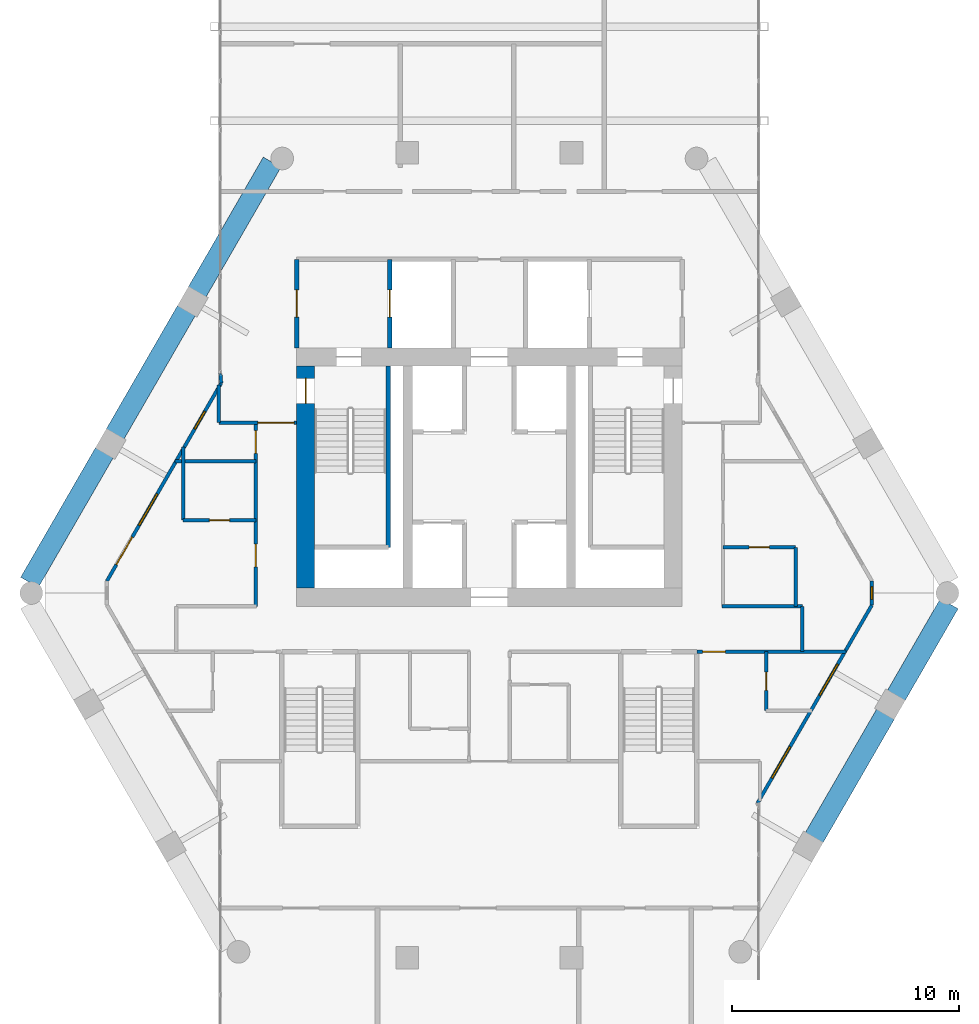
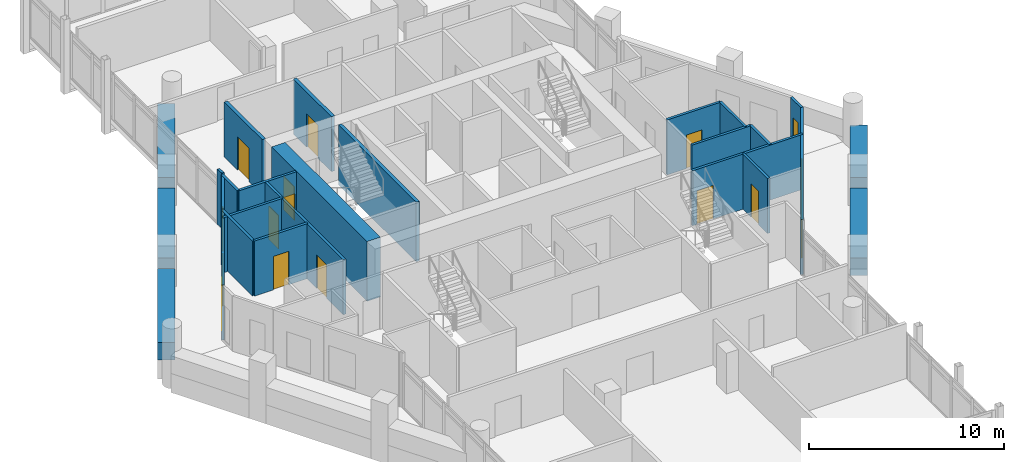
# One storey, part 26 of 29: 25 walls, 11 doors, 5 windows, 16 openings.
"""IFC4 building model written with IfcOpenShell, lengths in metres."""

from ifc_helpers import new_model, si_unit, direction, frame, frame_2d, origin, place, context, subcontext, project, spatial, rectangle, extrude, material, layer, layer_set, type_object, element, fill, save


model = new_model("IFC4")

# Units and contexts
model_context = context("Model", 3, precision=1e-05, world=origin(), true_north=direction((0.0, 1.0)))
body_context = subcontext(model_context, "Body", "Model", "MODEL_VIEW")
ifc_project = project(units=[si_unit("LENGTHUNIT", "METRE"), si_unit("AREAUNIT", "SQUARE_METRE"), si_unit("VOLUMEUNIT", "CUBIC_METRE"), si_unit("PLANEANGLEUNIT", "RADIAN"), si_unit("MASSUNIT", "GRAM", prefix="KILO")], contexts=[model_context])

# Site, building, storey
site_placement = place(None, origin())
site = spatial("IfcSite", under=ifc_project, at=site_placement, CompositionType="ELEMENT")
building_placement = place(site_placement, origin())
building = spatial("IfcBuilding", under=site, at=building_placement, Name="Ostrander Bayou Hotel Tower", CompositionType="ELEMENT")
storey_placement = place(building_placement, frame((0.0, 0.0, 205.75)))
storey = spatial("IfcBuildingStorey", under=building, at=storey_placement, Name="L51", CompositionType="ELEMENT", Elevation=205.75)

# Wall, opening, door
ifc_material_1 = material(Name="Concrete f'c 60 MPa", Category="concrete")
ifc_layer_1 = layer(ifc_material_1, 0.800048828125)
ifc_layer_set_1 = layer_set([ifc_layer_1], Name="CW8 core spine wall 800 mm f'c 60 MPa")
wall_type_1 = type_object("IfcWallType", Name="CW8 core spine wall 800 mm f'c 60 MPa", PredefinedType="SHEAR", material=ifc_layer_set_1)
wall_1_placement = place(storey_placement, frame((-8.10009765625, -0.89990234375, -0.300048828125), z_axis=(0.0, 0.0, 1.0), x_axis=(0.0, 1.0, 0.0)))
wall_1 = element("IfcWall", 1, at=wall_1_placement, inside=storey, type_object=wall_type_1, Name="CW8 L51 W", PredefinedType="SHEAR", context=body_context, shape_type="SweptSolid", body=[
    extrude(rectangle(XDim=9.7998046875, YDim=0.800048828125, at=frame_2d((4.89990234375, 0.0))), origin(), (0.0, 0.0, 1.0), 3.75),
])
opening_1_placement = place(wall_1_placement, frame((8.14990234375, 0.0, 0.0)))
opening_1 = element("IfcOpeningElement", 2, at=opening_1_placement, cuts=wall_1, Name="Opening T50-008", PredefinedType="OPENING", context=body_context, shape_type="SweptSolid", body=[
    extrude(rectangle(XDim=1.10009765625, YDim=2.10009765625, at=frame_2d((0.550048828125, 1.050048828125))), frame((0.0, 0.39990234375, 0.0), z_axis=(0.0, -1.0, 0.0), x_axis=(1.0, 0.0, 0.0)), (0.0, 0.0, 1.0), 0.800048828125),
])
ifc_material_2 = material(Name="Timber door leaf", Category="wood")
door_type_1 = type_object("IfcDoorType", Name="D5 stair door 1100 x 2100 mm, 90 minute", OperationType="SINGLE_SWING_LEFT", PredefinedType="DOOR", material=ifc_material_2)
door_1_placement = place(opening_1_placement, origin())
door_1 = element("IfcDoor", 3, at=door_1_placement, inside=storey, type_object=door_type_1, Name="dr:L51:008", OperationType="SINGLE_SWING_RIGHT", OverallHeight=2.10009765625, OverallWidth=1.10009765625, PredefinedType="DOOR", context=body_context, shape_type="SweptSolid", body=[
    extrude(rectangle(XDim=1.10009765625, YDim=2.10009765625, at=frame_2d((0.550048828125, 1.050048828125))), frame((0.0, 0.02490234375, 0.0), z_axis=(0.0, -1.0, 0.0), x_axis=(1.0, 0.0, 0.0)), (0.0, 0.0, 1.0), 0.050048828125),
])
fill(opening_1, door_1)

# Wall, openings, door, windows
ifc_material_3 = material(Name="Aluminium framed insulated wall", Category="aluminium")
ifc_layer_2 = layer(ifc_material_3, 0.14990234375)
ifc_layer_set_2 = layer_set([ifc_layer_2], Name="GW1 glass-line wall 150 mm")
wall_type_2 = type_object("IfcWallType", Name="GW1 glass-line wall 150 mm", PredefinedType="SOLIDWALL", material=ifc_layer_set_2)
wall_2_placement = place(storey_placement, frame((-11.823974609375, 8.144775390625, 0.0), z_axis=(0.0, 0.0, 1.0), x_axis=(-0.499993749393, -0.866029012544, 0.0)))
wall_2 = element("IfcWall", 4, at=wall_2_placement, inside=storey, type_object=wall_type_2, Name="GW1 L51 NW 1", PredefinedType="SOLIDWALL", context=body_context, shape_type="SweptSolid", body=[
    extrude(rectangle(XDim=10.074951171875, YDim=0.14990234375, at=frame_2d((5.03759765625, 0.0))), origin(), (0.0, 0.0, 1.0), 3.449951171875),
])
opening_2_placement = place(wall_2_placement, frame((1.44140625, 0.0, 0.14990234375)))
opening_2 = element("IfcOpeningElement", 5, at=opening_2_placement, cuts=wall_2, Name="Opening W17", PredefinedType="OPENING", context=body_context, shape_type="SweptSolid", body=[
    extrude(rectangle(XDim=0.89990234375, YDim=2.199951171875, at=frame_2d((0.449951171875, 1.10009765625))), frame((0.0, 0.074951171875, 0.0), z_axis=(0.0, -1.0, 0.0), x_axis=(1.0, 0.0, 0.0)), (0.0, 0.0, 1.0), 0.14990234375),
])
opening_3_placement = place(wall_2_placement, frame((5.6416015625, 0.0, 0.14990234375)))
opening_3 = element("IfcOpeningElement", 6, at=opening_3_placement, cuts=wall_2, Name="Opening W9", PredefinedType="OPENING", context=body_context, shape_type="SweptSolid", body=[
    extrude(rectangle(XDim=1.60009765625, YDim=2.199951171875, at=frame_2d((0.800048828125, 1.10009765625))), frame((0.0, 0.074951171875, 0.0), z_axis=(0.0, -1.0, 0.0), x_axis=(1.0, 0.0, 0.0)), (0.0, 0.0, 1.0), 0.14990234375),
])
opening_4_placement = place(wall_2_placement, frame((7.841552734375, 0.0, 0.0)))
opening_4 = element("IfcOpeningElement", 7, at=opening_4_placement, cuts=wall_2, Name="Opening T50-800", PredefinedType="OPENING", context=body_context, shape_type="SweptSolid", body=[
    extrude(rectangle(XDim=1.39990234375, YDim=2.39990234375, at=frame_2d((0.699951171875, 1.199951171875))), frame((0.0, 0.074951171875, 0.0), z_axis=(0.0, -1.0, 0.0), x_axis=(1.0, 0.0, 0.0)), (0.0, 0.0, 1.0), 0.14990234375),
])
ifc_material_4 = material(Name="Aluminium and clear glass", Category="aluminium")
door_type_2 = type_object("IfcDoorType", Name="SD3 sliding glass door 1400 mm, zone 3", OperationType="SLIDING_TO_LEFT", PredefinedType="DOOR", material=ifc_material_4)
door_2_placement = place(opening_4_placement, origin())
door_2 = element("IfcDoor", 8, at=door_2_placement, inside=storey, type_object=door_type_2, Name="SD3 L51 NW 4", OperationType="SLIDING_TO_RIGHT", OverallHeight=2.39990234375, OverallWidth=1.39990234375, PredefinedType="DOOR", context=body_context, shape_type="SweptSolid", body=[
    extrude(rectangle(XDim=1.39990234375, YDim=2.39990234375, at=frame_2d((0.699951171875, 1.199951171875))), frame((0.0, 0.02490234375, 0.0), z_axis=(0.0, -1.0, 0.0), x_axis=(1.0, 0.0, 0.0)), (0.0, 0.0, 1.0), 0.050048828125),
])
fill(opening_4, door_2)
ifc_material_5 = material(Name="Aluminium and clear glass", Category="aluminium")
window_type_1 = type_object("IfcWindowType", Name="W17 window 900 mm, zone 3", PartitioningType="SINGLE_PANEL", PredefinedType="WINDOW", material=ifc_material_5)
window_1_placement = place(opening_2_placement, origin())
window_1 = element("IfcWindow", 9, at=window_1_placement, inside=storey, type_object=window_type_1, Name="W17 L51 NW 3", OverallHeight=2.199951171875, OverallWidth=0.89990234375, PartitioningType="SINGLE_PANEL", PredefinedType="WINDOW", context=body_context, shape_type="SweptSolid", body=[
    extrude(rectangle(XDim=0.89990234375, YDim=2.199951171875, at=frame_2d((0.449951171875, 1.10009765625))), frame((0.0, 0.030029296875, 0.0), z_axis=(0.0, -1.0, 0.0), x_axis=(1.0, 0.0, 0.0)), (0.0, 0.0, 1.0), 0.06005859375),
])
fill(opening_2, window_1)
ifc_material_6 = material(Name="Aluminium and clear glass", Category="aluminium")
window_type_2 = type_object("IfcWindowType", Name="W9 fixed window 1600 mm, bar storeys, zone 3", PartitioningType="SINGLE_PANEL", PredefinedType="WINDOW", material=ifc_material_6)
window_2_placement = place(opening_3_placement, origin())
window_2 = element("IfcWindow", 10, at=window_2_placement, inside=storey, type_object=window_type_2, Name="W9 L51 NW 4", OverallHeight=2.199951171875, OverallWidth=1.60009765625, PartitioningType="SINGLE_PANEL", PredefinedType="WINDOW", context=body_context, shape_type="SweptSolid", body=[
    extrude(rectangle(XDim=1.60009765625, YDim=2.199951171875, at=frame_2d((0.800048828125, 1.10009765625))), frame((0.0, 0.030029296875, 0.0), z_axis=(0.0, -1.0, 0.0), x_axis=(1.0, 0.0, 0.0)), (0.0, 0.0, 1.0), 0.06005859375),
])
fill(opening_3, window_2)

# Wall, openings, windows
wall_3_placement = place(storey_placement, frame((11.823974609375, -10.370361328125, 0.0), z_axis=(0.0, 0.0, 1.0), x_axis=(0.499993749393, 0.866029012544, 0.0)))
wall_3 = element("IfcWall", 11, at=wall_3_placement, inside=storey, type_object=wall_type_2, Name="GW1 L51 SE 1", PredefinedType="SOLIDWALL", context=body_context, shape_type="SweptSolid", body=[
    extrude(rectangle(XDim=10.074951171875, YDim=0.14990234375, at=frame_2d((5.03759765625, 0.0))), origin(), (0.0, 0.0, 1.0), 3.449951171875),
])
opening_5_placement = place(wall_3_placement, frame((1.26904296875, 0.0, 0.14990234375)))
opening_5 = element("IfcOpeningElement", 12, at=opening_5_placement, cuts=wall_3, Name="Opening W9", PredefinedType="OPENING", context=body_context, shape_type="SweptSolid", body=[
    extrude(rectangle(XDim=1.60009765625, YDim=2.199951171875, at=frame_2d((0.800048828125, 1.10009765625))), frame((0.0, 0.074951171875, 0.0), z_axis=(0.0, -1.0, 0.0), x_axis=(1.0, 0.0, 0.0)), (0.0, 0.0, 1.0), 0.14990234375),
])
opening_6_placement = place(wall_3_placement, frame((5.468994140625, 0.0, 0.14990234375)))
opening_6 = element("IfcOpeningElement", 13, at=opening_6_placement, cuts=wall_3, Name="Opening W9", PredefinedType="OPENING", context=body_context, shape_type="SweptSolid", body=[
    extrude(rectangle(XDim=1.60009765625, YDim=2.199951171875, at=frame_2d((0.800048828125, 1.10009765625))), frame((0.0, 0.074951171875, 0.0), z_axis=(0.0, -1.0, 0.0), x_axis=(1.0, 0.0, 0.0)), (0.0, 0.0, 1.0), 0.14990234375),
])
window_3_placement = place(opening_5_placement, origin())
window_3 = element("IfcWindow", 14, at=window_3_placement, inside=storey, type_object=window_type_2, Name="W9 L51 SE 2", OverallHeight=2.199951171875, OverallWidth=1.60009765625, PartitioningType="SINGLE_PANEL", PredefinedType="WINDOW", context=body_context, shape_type="SweptSolid", body=[
    extrude(rectangle(XDim=1.60009765625, YDim=2.199951171875, at=frame_2d((0.800048828125, 1.10009765625))), frame((0.0, 0.030029296875, 0.0), z_axis=(0.0, -1.0, 0.0), x_axis=(1.0, 0.0, 0.0)), (0.0, 0.0, 1.0), 0.06005859375),
])
fill(opening_5, window_3)
window_4_placement = place(opening_6_placement, origin())
window_4 = element("IfcWindow", 15, at=window_4_placement, inside=storey, type_object=window_type_2, Name="W9 L51 SE 3", OverallHeight=2.199951171875, OverallWidth=1.60009765625, PartitioningType="SINGLE_PANEL", PredefinedType="WINDOW", context=body_context, shape_type="SweptSolid", body=[
    extrude(rectangle(XDim=1.60009765625, YDim=2.199951171875, at=frame_2d((0.800048828125, 1.10009765625))), frame((0.0, 0.030029296875, 0.0), z_axis=(0.0, -1.0, 0.0), x_axis=(1.0, 0.0, 0.0)), (0.0, 0.0, 1.0), 0.06005859375),
])
fill(opening_6, window_4)

# Wall, opening, window
wall_4_placement = place(storey_placement, frame((16.861328125, -1.645263671875, 0.0), z_axis=(0.0, 0.0, 1.0), x_axis=(0.0, 1.0, 0.0)))
wall_4 = element("IfcWall", 16, at=wall_4_placement, inside=storey, type_object=wall_type_2, Name="GW1 L51 corner 5", PredefinedType="SOLIDWALL", context=body_context, shape_type="SweptSolid", body=[
    extrude(rectangle(XDim=1.06494140625, YDim=0.14990234375, at=frame_2d((0.532470703125, 0.0))), origin(), (0.0, 0.0, 1.0), 3.449951171875),
])
opening_7_placement = place(wall_4_placement, frame((0.257568359375, 0.0, 0.14990234375)))
opening_7 = element("IfcOpeningElement", 17, at=opening_7_placement, cuts=wall_4, Name="Opening W19", PredefinedType="OPENING", context=body_context, shape_type="SweptSolid", body=[
    extrude(rectangle(XDim=0.550048828125, YDim=2.199951171875, at=frame_2d((0.27490234375, 1.10009765625))), frame((0.0, 0.074951171875, 0.0), z_axis=(0.0, -1.0, 0.0), x_axis=(1.0, 0.0, 0.0)), (0.0, 0.0, 1.0), 0.14990234375),
])
ifc_material_7 = material(Name="Aluminium and clear glass", Category="aluminium")
window_type_3 = type_object("IfcWindowType", Name="W19 corner window 550 mm", PartitioningType="SINGLE_PANEL", PredefinedType="WINDOW", material=ifc_material_7)
window_5_placement = place(opening_7_placement, origin())
window_5 = element("IfcWindow", 18, at=window_5_placement, inside=storey, type_object=window_type_3, Name="W19 L51 corner 5", OverallHeight=2.199951171875, OverallWidth=0.550048828125, PartitioningType="SINGLE_PANEL", PredefinedType="WINDOW", context=body_context, shape_type="SweptSolid", body=[
    extrude(rectangle(XDim=0.550048828125, YDim=2.199951171875, at=frame_2d((0.27490234375, 1.10009765625))), frame((0.0, 0.030029296875, 0.0), z_axis=(0.0, -1.0, 0.0), x_axis=(1.0, 0.0, 0.0)), (0.0, 0.0, 1.0), 0.06005859375),
])
fill(opening_7, window_5)

# Walls
wall_5_placement = place(storey_placement, frame((-11.823974609375, 8.144775390625, 0.0), z_axis=(0.0, 0.0, 1.0), x_axis=(-0.078869316502, 0.996884963732, 0.0)))
element("IfcWall", 19, at=wall_5_placement, inside=storey, type_object=wall_type_2, Name="GW1 L51 bar joint 1", PredefinedType="SOLIDWALL", context=body_context, shape_type="SweptSolid", body=[
    extrude(rectangle(XDim=0.4208984375, YDim=0.14990234375, at=frame_2d((0.21044921875, 0.0))), origin(), (0.0, 0.0, 1.0), 3.449951171875),
])
ifc_material_8 = material(Name="Concrete f'c 40 MPa", Category="concrete")
ifc_layer_3 = layer(ifc_material_8, 0.89990234375)
ifc_layer_set_3 = layer_set([ifc_layer_3], Name="PA1 stone-faced parapet 900 mm")
wall_type_3 = type_object("IfcWallType", Name="PA1 stone-faced parapet 900 mm", PredefinedType="PARAPET", material=ifc_layer_set_3)
wall_6_placement = place(storey_placement, frame((-9.58056640625, 17.88037109375, 0.0), z_axis=(0.0, 0.0, 1.0), x_axis=(-0.499994358189, -0.866028661061, 0.0)))
element("IfcWall", 20, at=wall_6_placement, inside=storey, type_object=wall_type_3, Name="PA1 L51 NW-1", PredefinedType="PARAPET", context=body_context, shape_type="SweptSolid", body=[
    extrude(rectangle(XDim=6.6064453125, YDim=0.89990234375, at=frame_2d((3.30322265625, 0.0))), origin(), (0.0, 0.0, 1.0), 1.10009765625),
])
wall_7_placement = place(storey_placement, frame((-13.353759765625, 11.344970703125, 0.0), z_axis=(0.0, 0.0, 1.0), x_axis=(-0.500013351051, -0.866017695414, 0.0)))
element("IfcWall", 21, at=wall_7_placement, inside=storey, type_object=wall_type_3, Name="PA1 L51 NW-2", PredefinedType="PARAPET", context=body_context, shape_type="SweptSolid", body=[
    extrude(rectangle(XDim=6.296142578125, YDim=0.89990234375, at=frame_2d((3.14794921875, 0.0))), origin(), (0.0, 0.0, 1.0), 1.10009765625),
])
wall_8_placement = place(storey_placement, frame((-16.971923828125, 5.078125, 0.0), z_axis=(0.0, 0.0, 1.0), x_axis=(-0.500010360262, -0.866019422202, 0.0)))
element("IfcWall", 22, at=wall_8_placement, inside=storey, type_object=wall_type_3, Name="PA1 L51 NW-3", PredefinedType="PARAPET", context=body_context, shape_type="SweptSolid", body=[
    extrude(rectangle(XDim=6.606201171875, YDim=0.89990234375, at=frame_2d((3.30322265625, 0.0))), origin(), (0.0, 0.0, 1.0), 1.10009765625),
])
ifc_material_9 = material(Name="Limestone masonry", Category="masonry")
ifc_layer_4 = layer(ifc_material_9, 0.89990234375)
ifc_layer_set_4 = layer_set([ifc_layer_4], Name="PA2 limestone parapet 900 mm")
wall_type_4 = type_object("IfcWallType", Name="PA2 limestone parapet 900 mm", PredefinedType="PARAPET", material=ifc_layer_set_4)
wall_9_placement = place(storey_placement, frame((14.3173828125, -11.9013671875, 0.0), z_axis=(0.0, 0.0, 1.0), x_axis=(0.500013351051, 0.866017695414, 0.0)))
element("IfcWall", 23, at=wall_9_placement, inside=storey, type_object=wall_type_4, Name="PA2 L51 SE-2", PredefinedType="PARAPET", context=body_context, shape_type="SweptSolid", body=[
    extrude(rectangle(XDim=6.296142578125, YDim=0.89990234375, at=frame_2d((3.14794921875, 0.0))), origin(), (0.0, 0.0, 1.0), 1.10009765625),
])
wall_10_placement = place(storey_placement, frame((17.935546875, -5.634521484375, 0.0), z_axis=(0.0, 0.0, 1.0), x_axis=(0.500028081597, 0.86600919026, 0.0)))
element("IfcWall", 24, at=wall_10_placement, inside=storey, type_object=wall_type_4, Name="PA2 L51 SE-3", PredefinedType="PARAPET", context=body_context, shape_type="SweptSolid", body=[
    extrude(rectangle(XDim=4.678955078125, YDim=0.89990234375, at=frame_2d((2.33935546875, 0.0))), origin(), (0.0, 0.0, 1.0), 1.10009765625),
])

# Wall, opening, door
ifc_material_10 = material(Name="Masonry block", Category="masonry")
ifc_layer_5 = layer(ifc_material_10, 0.199951171875)
ifc_layer_set_5 = layer_set([ifc_layer_5], Name="PT5 stair enclosure wall 200 mm masonry, 2 hour")
wall_type_5 = type_object("IfcWallType", Name="PT5 stair enclosure wall 200 mm masonry, 2 hour", PredefinedType="PARTITIONING", material=ifc_layer_set_5)
wall_11_placement = place(storey_placement, frame((-8.5, 9.699951171875, 0.0), z_axis=(0.0, 0.0, 1.0), x_axis=(0.0, 1.0, 0.0)))
wall_11 = element("IfcWall", 25, at=wall_11_placement, inside=storey, type_object=wall_type_5, Name="cs:L51:022", PredefinedType="PARTITIONING", context=body_context, shape_type="SweptSolid", body=[
    extrude(rectangle(XDim=3.900146484375, YDim=0.199951171875, at=frame_2d((1.9501953125, 0.0))), origin(), (0.0, 0.0, 1.0), 3.449951171875),
])
opening_8_placement = place(wall_11_placement, frame((1.35009765625, 0.0, 0.0)))
opening_8 = element("IfcOpeningElement", 26, at=opening_8_placement, cuts=wall_11, Name="Opening T50-014", PredefinedType="OPENING", context=body_context, shape_type="SweptSolid", body=[
    extrude(rectangle(XDim=1.199951171875, YDim=2.10009765625, at=frame_2d((0.60009765625, 1.050048828125))), frame((0.0, 0.10009765625, 0.0), z_axis=(0.0, -1.0, 0.0), x_axis=(1.0, 0.0, 0.0)), (0.0, 0.0, 1.0), 0.199951171875),
])
ifc_material_11 = material(Name="Timber door leaf", Category="wood")
door_type_3 = type_object("IfcDoorType", Name="D7 lobby door 1200 x 2100 mm, 1 hour", OperationType="SINGLE_SWING_LEFT", PredefinedType="DOOR", material=ifc_material_11)
door_3_placement = place(opening_8_placement, origin())
door_3 = element("IfcDoor", 27, at=door_3_placement, inside=storey, type_object=door_type_3, Name="dr:L51:014", OperationType="SINGLE_SWING_LEFT", OverallHeight=2.10009765625, OverallWidth=1.199951171875, PredefinedType="DOOR", context=body_context, shape_type="SweptSolid", body=[
    extrude(rectangle(XDim=1.199951171875, YDim=2.10009765625, at=frame_2d((0.60009765625, 1.050048828125))), frame((0.0, 0.02490234375, 0.0), z_axis=(0.0, -1.0, 0.0), x_axis=(1.0, 0.0, 0.0)), (0.0, 0.0, 1.0), 0.050048828125),
])
fill(opening_8, door_3)

wall_12_placement = place(storey_placement, frame((-4.39990234375, 9.699951171875, 0.0), z_axis=(0.0, 0.0, 1.0), x_axis=(0.0, 1.0, 0.0)))
wall_12 = element("IfcWall", 28, at=wall_12_placement, inside=storey, type_object=wall_type_5, Name="cs:L51:024", PredefinedType="PARTITIONING", context=body_context, shape_type="SweptSolid", body=[
    extrude(rectangle(XDim=3.900146484375, YDim=0.199951171875, at=frame_2d((1.9501953125, 0.0))), origin(), (0.0, 0.0, 1.0), 3.449951171875),
])
opening_9_placement = place(wall_12_placement, frame((1.35009765625, 0.0, 0.0)))
opening_9 = element("IfcOpeningElement", 29, at=opening_9_placement, cuts=wall_12, Name="Opening T50-013", PredefinedType="OPENING", context=body_context, shape_type="SweptSolid", body=[
    extrude(rectangle(XDim=1.199951171875, YDim=2.10009765625, at=frame_2d((0.60009765625, 1.050048828125))), frame((0.0, 0.10009765625, 0.0), z_axis=(0.0, -1.0, 0.0), x_axis=(1.0, 0.0, 0.0)), (0.0, 0.0, 1.0), 0.199951171875),
])
ifc_material_12 = material(Name="Stainless steel sliding door", Category="steel")
door_type_4 = type_object("IfcDoorType", Name="LD1 lift landing door 1200 x 2100 mm", OperationType="SINGLE_SWING_LEFT", PredefinedType="DOOR", material=ifc_material_12)
door_4_placement = place(opening_9_placement, origin())
door_4 = element("IfcDoor", 30, at=door_4_placement, inside=storey, type_object=door_type_4, Name="dr:L51:013", OperationType="SLIDING_TO_LEFT", OverallHeight=2.10009765625, OverallWidth=1.199951171875, PredefinedType="DOOR", context=body_context, shape_type="SweptSolid", body=[
    extrude(rectangle(XDim=1.199951171875, YDim=2.10009765625, at=frame_2d((0.60009765625, 1.050048828125))), frame((0.0, 0.02490234375, 0.0), z_axis=(0.0, -1.0, 0.0), x_axis=(1.0, 0.0, 0.0)), (0.0, 0.0, 1.0), 0.050048828125),
])
fill(opening_9, door_4)

ifc_material_13 = material(Name="Gypsum board partition", Category="finish")
ifc_layer_6 = layer(ifc_material_13, 0.14990234375)
ifc_layer_set_6 = layer_set([ifc_layer_6], Name="PT8 service band wall 150 mm, 1 hour")
wall_type_6 = type_object("IfcWallType", Name="PT8 service band wall 150 mm, 1 hour", PredefinedType="PARTITIONING", material=ifc_layer_set_6)
wall_13_placement = place(storey_placement, frame((9.159912109375, -3.699951171875, 0.0), z_axis=(0.0, 0.0, 1.0), x_axis=(1.0, 0.0, 0.0)))
wall_13 = element("IfcWall", 31, at=wall_13_placement, inside=storey, type_object=wall_type_6, Name="gw:L51:011", PredefinedType="PARTITIONING", context=body_context, shape_type="SweptSolid", body=[
    extrude(rectangle(XDim=6.567138671875, YDim=0.14990234375, at=frame_2d((3.28369140625, 0.0))), origin(), (0.0, 0.0, 1.0), 3.449951171875),
])
opening_10_placement = place(wall_13_placement, frame((0.239990234375, 0.0, 0.0)))
opening_10 = element("IfcOpeningElement", 32, at=opening_10_placement, cuts=wall_13, Name="Opening T50-406", PredefinedType="OPENING", context=body_context, shape_type="SweptSolid", body=[
    extrude(rectangle(XDim=1.0, YDim=2.10009765625, at=frame_2d((0.5, 1.050048828125))), frame((0.0, 0.074951171875, 0.0), z_axis=(0.0, -1.0, 0.0), x_axis=(1.0, 0.0, 0.0)), (0.0, 0.0, 1.0), 0.14990234375),
])
ifc_material_14 = material(Name="Timber door leaf", Category="wood")
door_type_5 = type_object("IfcDoorType", Name="D1 guest room door 1000 x 2100 mm, 30 minute", OperationType="SINGLE_SWING_LEFT", PredefinedType="DOOR", material=ifc_material_14)
door_5_placement = place(opening_10_placement, origin())
door_5 = element("IfcDoor", 33, at=door_5_placement, inside=storey, type_object=door_type_5, Name="dr:L51:406", OperationType="SINGLE_SWING_LEFT", OverallHeight=2.10009765625, OverallWidth=1.0, PredefinedType="DOOR", context=body_context, shape_type="SweptSolid", body=[
    extrude(rectangle(XDim=1.0, YDim=2.10009765625, at=frame_2d((0.5, 1.050048828125))), frame((0.0, 0.02490234375, 0.0), z_axis=(0.0, -1.0, 0.0), x_axis=(1.0, 0.0, 0.0)), (0.0, 0.0, 1.0), 0.050048828125),
])
fill(opening_10, door_5)

# Wall
wall_14_placement = place(storey_placement, frame((10.260009765625, -1.699951171875, 0.0), z_axis=(0.0, 0.0, 1.0), x_axis=(1.0, 0.0, 0.0)))
element("IfcWall", 34, at=wall_14_placement, inside=storey, type_object=wall_type_6, Name="gw:L51:013", PredefinedType="PARTITIONING", context=body_context, shape_type="SweptSolid", body=[
    extrude(rectangle(XDim=3.5400390625, YDim=0.14990234375, at=frame_2d((1.77001953125, 0.0))), origin(), (0.0, 0.0, 1.0), 3.449951171875),
])

# Wall, opening, door
wall_15_placement = place(storey_placement, frame((10.300048828125, 0.89990234375, 0.0), z_axis=(0.0, 0.0, 1.0), x_axis=(1.0, 0.0, 0.0)))
wall_15 = element("IfcWall", 35, at=wall_15_placement, inside=storey, type_object=wall_type_6, Name="gw:L51:014", PredefinedType="PARTITIONING", context=body_context, shape_type="SweptSolid", body=[
    extrude(rectangle(XDim=3.199951171875, YDim=0.14990234375, at=frame_2d((1.60009765625, 0.0))), origin(), (0.0, 0.0, 1.0), 3.449951171875),
])
opening_11_placement = place(wall_15_placement, frame((1.14990234375, 0.0, 0.0)))
opening_11 = element("IfcOpeningElement", 36, at=opening_11_placement, cuts=wall_15, Name="Opening T50-412", PredefinedType="OPENING", context=body_context, shape_type="SweptSolid", body=[
    extrude(rectangle(XDim=0.89990234375, YDim=2.10009765625, at=frame_2d((0.449951171875, 1.050048828125))), frame((0.0, 0.074951171875, 0.0), z_axis=(0.0, -1.0, 0.0), x_axis=(1.0, 0.0, 0.0)), (0.0, 0.0, 1.0), 0.14990234375),
])
ifc_material_15 = material(Name="Timber door leaf", Category="wood")
door_type_6 = type_object("IfcDoorType", Name="D8 room door 900 x 2100 mm", OperationType="SINGLE_SWING_LEFT", PredefinedType="DOOR", material=ifc_material_15)
door_6_placement = place(opening_11_placement, origin())
door_6 = element("IfcDoor", 37, at=door_6_placement, inside=storey, type_object=door_type_6, Name="dr:L51:412", OperationType="SINGLE_SWING_LEFT", OverallHeight=2.10009765625, OverallWidth=0.89990234375, PredefinedType="DOOR", context=body_context, shape_type="SweptSolid", body=[
    extrude(rectangle(XDim=0.89990234375, YDim=2.10009765625, at=frame_2d((0.449951171875, 1.050048828125))), frame((0.0, 0.02490234375, 0.0), z_axis=(0.0, -1.0, 0.0), x_axis=(1.0, 0.0, 0.0)), (0.0, 0.0, 1.0), 0.050048828125),
])
fill(opening_11, door_6)

wall_16_placement = place(storey_placement, frame((-13.5, 2.10009765625, 0.0), z_axis=(0.0, 0.0, 1.0), x_axis=(1.0, 0.0, 0.0)))
wall_16 = element("IfcWall", 38, at=wall_16_placement, inside=storey, type_object=wall_type_6, Name="gw:L51:015", PredefinedType="PARTITIONING", context=body_context, shape_type="SweptSolid", body=[
    extrude(rectangle(XDim=3.199951171875, YDim=0.14990234375, at=frame_2d((1.60009765625, 0.0))), origin(), (0.0, 0.0, 1.0), 3.449951171875),
])
opening_12_placement = place(wall_16_placement, frame((1.14990234375, 0.0, 0.0)))
opening_12 = element("IfcOpeningElement", 39, at=opening_12_placement, cuts=wall_16, Name="Opening T50-409", PredefinedType="OPENING", context=body_context, shape_type="SweptSolid", body=[
    extrude(rectangle(XDim=0.89990234375, YDim=2.10009765625, at=frame_2d((0.449951171875, 1.050048828125))), frame((0.0, 0.074951171875, 0.0), z_axis=(0.0, -1.0, 0.0), x_axis=(1.0, 0.0, 0.0)), (0.0, 0.0, 1.0), 0.14990234375),
])
door_7_placement = place(opening_12_placement, origin())
door_7 = element("IfcDoor", 40, at=door_7_placement, inside=storey, type_object=door_type_6, Name="dr:L51:409", OperationType="SINGLE_SWING_RIGHT", OverallHeight=2.10009765625, OverallWidth=0.89990234375, PredefinedType="DOOR", context=body_context, shape_type="SweptSolid", body=[
    extrude(rectangle(XDim=0.89990234375, YDim=2.10009765625, at=frame_2d((0.449951171875, 1.050048828125))), frame((0.0, 0.02490234375, 0.0), z_axis=(0.0, -1.0, 0.0), x_axis=(1.0, 0.0, 0.0)), (0.0, 0.0, 1.0), 0.050048828125),
])
fill(opening_12, door_7)

# Wall
wall_17_placement = place(storey_placement, frame((-13.864990234375, 4.699951171875, 0.0), z_axis=(0.0, 0.0, 1.0), x_axis=(1.0, 0.0, 0.0)))
element("IfcWall", 41, at=wall_17_placement, inside=storey, type_object=wall_type_6, Name="gw:L51:016", PredefinedType="PARTITIONING", context=body_context, shape_type="SweptSolid", body=[
    extrude(rectangle(XDim=3.56494140625, YDim=0.14990234375, at=frame_2d((1.782470703125, 0.0))), origin(), (0.0, 0.0, 1.0), 3.449951171875),
])

# Wall, opening, door
wall_18_placement = place(storey_placement, frame((-11.929931640625, 6.39990234375, 0.0), z_axis=(0.0, 0.0, 1.0), x_axis=(1.0, 0.0, 0.0)))
wall_18 = element("IfcWall", 42, at=wall_18_placement, inside=storey, type_object=wall_type_6, Name="gw:L51:018", PredefinedType="PARTITIONING", context=body_context, shape_type="SweptSolid", body=[
    extrude(rectangle(XDim=3.419921875, YDim=0.14990234375, at=frame_2d((1.7099609375, 0.0))), origin(), (0.0, 0.0, 1.0), 3.449951171875),
])
opening_13_placement = place(wall_18_placement, frame((1.719970703125, 0.0, 0.0)))
opening_13 = element("IfcOpeningElement", 43, at=opening_13_placement, cuts=wall_18, Name="Opening T50-1212", PredefinedType="OPENING", context=body_context, shape_type="SweptSolid", body=[
    extrude(rectangle(XDim=1.60009765625, YDim=2.10009765625, at=frame_2d((0.800048828125, 1.050048828125))), frame((0.0, 0.074951171875, 0.0), z_axis=(0.0, -1.0, 0.0), x_axis=(1.0, 0.0, 0.0)), (0.0, 0.0, 1.0), 0.14990234375),
])
ifc_material_16 = material(Name="Timber door leaf", Category="wood")
door_type_7 = type_object("IfcDoorType", Name="D13 double door 1600 x 2100 mm, 1 hour", OperationType="SINGLE_SWING_LEFT", PredefinedType="DOOR", material=ifc_material_16)
door_8_placement = place(opening_13_placement, origin())
door_8 = element("IfcDoor", 44, at=door_8_placement, inside=storey, type_object=door_type_7, Name="dr:L51:1212", OperationType="DOUBLE_DOOR_SINGLE_SWING", OverallHeight=2.10009765625, OverallWidth=1.60009765625, PredefinedType="DOOR", context=body_context, shape_type="SweptSolid", body=[
    extrude(rectangle(XDim=1.60009765625, YDim=2.10009765625, at=frame_2d((0.800048828125, 1.050048828125))), frame((0.0, 0.02490234375, 0.0), z_axis=(0.0, -1.0, 0.0), x_axis=(1.0, 0.0, 0.0)), (0.0, 0.0, 1.0), 0.050048828125),
])
fill(opening_13, door_8)

# Walls
wall_19_placement = place(storey_placement, frame((13.800048828125, -3.699951171875, 0.0), z_axis=(0.0, 0.0, 1.0), x_axis=(0.0, 1.0, 0.0)))
element("IfcWall", 45, at=wall_19_placement, inside=storey, type_object=wall_type_6, Name="gw:L51:020", PredefinedType="PARTITIONING", context=body_context, shape_type="SweptSolid", body=[
    extrude(rectangle(XDim=2.0, YDim=0.14990234375, at=frame_2d((1.0, 0.0))), origin(), (0.0, 0.0, 1.0), 3.449951171875),
])
wall_20_placement = place(storey_placement, frame((13.5, -1.699951171875, 0.0), z_axis=(0.0, 0.0, 1.0), x_axis=(0.0, 1.0, 0.0)))
element("IfcWall", 46, at=wall_20_placement, inside=storey, type_object=wall_type_6, Name="gw:L51:021", PredefinedType="PARTITIONING", context=body_context, shape_type="SweptSolid", body=[
    extrude(rectangle(XDim=2.599853515625, YDim=0.14990234375, at=frame_2d((1.2998046875, 0.0))), origin(), (0.0, 0.0, 1.0), 3.449951171875),
])

# Wall, opening, door
wall_21_placement = place(storey_placement, frame((12.199951171875, -6.300048828125, 0.0), z_axis=(0.0, 0.0, 1.0), x_axis=(0.0, 1.0, 0.0)))
wall_21 = element("IfcWall", 47, at=wall_21_placement, inside=storey, type_object=wall_type_6, Name="gw:L51:022", PredefinedType="PARTITIONING", context=body_context, shape_type="SweptSolid", body=[
    extrude(rectangle(XDim=2.60009765625, YDim=0.14990234375, at=frame_2d((1.300048828125, 0.0))), origin(), (0.0, 0.0, 1.0), 3.449951171875),
])
opening_14_placement = place(wall_21_placement, frame((0.89990234375, 0.0, 0.0)))
opening_14 = element("IfcOpeningElement", 48, at=opening_14_placement, cuts=wall_21, Name="Opening T50-407", PredefinedType="OPENING", context=body_context, shape_type="SweptSolid", body=[
    extrude(rectangle(XDim=0.800048828125, YDim=2.10009765625, at=frame_2d((0.39990234375, 1.050048828125))), frame((0.0, 0.074951171875, 0.0), z_axis=(0.0, -1.0, 0.0), x_axis=(1.0, 0.0, 0.0)), (0.0, 0.0, 1.0), 0.14990234375),
])
ifc_material_17 = material(Name="Timber door leaf", Category="wood")
door_type_8 = type_object("IfcDoorType", Name="D2 bathroom door 800 x 2100 mm", OperationType="SINGLE_SWING_LEFT", PredefinedType="DOOR", material=ifc_material_17)
door_9_placement = place(opening_14_placement, origin())
door_9 = element("IfcDoor", 49, at=door_9_placement, inside=storey, type_object=door_type_8, Name="dr:L51:407", OperationType="SINGLE_SWING_RIGHT", OverallHeight=2.10009765625, OverallWidth=0.800048828125, PredefinedType="DOOR", context=body_context, shape_type="SweptSolid", body=[
    extrude(rectangle(XDim=0.800048828125, YDim=2.10009765625, at=frame_2d((0.39990234375, 1.050048828125))), frame((0.0, 0.02490234375, 0.0), z_axis=(0.0, -1.0, 0.0), x_axis=(1.0, 0.0, 0.0)), (0.0, 0.0, 1.0), 0.050048828125),
])
fill(opening_14, door_9)

# Wall, openings, doors
wall_22_placement = place(storey_placement, frame((-10.300048828125, -1.699951171875, 0.0), z_axis=(0.0, 0.0, 1.0), x_axis=(0.0, 1.0, 0.0)))
wall_22 = element("IfcWall", 50, at=wall_22_placement, inside=storey, type_object=wall_type_6, Name="gw:L51:030", PredefinedType="PARTITIONING", context=body_context, shape_type="SweptSolid", body=[
    extrude(rectangle(XDim=8.099853515625, YDim=0.14990234375, at=frame_2d((4.0498046875, 0.0))), origin(), (0.0, 0.0, 1.0), 3.449951171875),
])
opening_15_placement = place(wall_22_placement, frame((1.739990234375, 0.0, 0.0)))
opening_15 = element("IfcOpeningElement", 51, at=opening_15_placement, cuts=wall_22, Name="Opening T50-408", PredefinedType="OPENING", context=body_context, shape_type="SweptSolid", body=[
    extrude(rectangle(XDim=1.0, YDim=2.10009765625, at=frame_2d((0.5, 1.050048828125))), frame((0.0, 0.074951171875, 0.0), z_axis=(0.0, -1.0, 0.0), x_axis=(1.0, 0.0, 0.0)), (0.0, 0.0, 1.0), 0.14990234375),
])
opening_16_placement = place(wall_22_placement, frame((6.75, 0.0, 0.0)))
opening_16 = element("IfcOpeningElement", 52, at=opening_16_placement, cuts=wall_22, Name="Opening T50-410", PredefinedType="OPENING", context=body_context, shape_type="SweptSolid", body=[
    extrude(rectangle(XDim=1.0, YDim=2.10009765625, at=frame_2d((0.5, 1.050048828125))), frame((0.0, 0.074951171875, 0.0), z_axis=(0.0, -1.0, 0.0), x_axis=(1.0, 0.0, 0.0)), (0.0, 0.0, 1.0), 0.14990234375),
])
ifc_material_18 = material(Name="Timber door leaf", Category="wood")
door_type_9 = type_object("IfcDoorType", Name="D15 room door 1000 x 2100 mm", OperationType="SINGLE_SWING_LEFT", PredefinedType="DOOR", material=ifc_material_18)
door_10_placement = place(opening_15_placement, origin())
door_10 = element("IfcDoor", 53, at=door_10_placement, inside=storey, type_object=door_type_9, Name="dr:L51:408", OperationType="SINGLE_SWING_LEFT", OverallHeight=2.10009765625, OverallWidth=1.0, PredefinedType="DOOR", context=body_context, shape_type="SweptSolid", body=[
    extrude(rectangle(XDim=1.0, YDim=2.10009765625, at=frame_2d((0.5, 1.050048828125))), frame((0.0, 0.02490234375, 0.0), z_axis=(0.0, -1.0, 0.0), x_axis=(1.0, 0.0, 0.0)), (0.0, 0.0, 1.0), 0.050048828125),
])
fill(opening_15, door_10)
ifc_material_19 = material(Name="Timber door leaf", Category="wood")
door_type_10 = type_object("IfcDoorType", Name="D9 service door 1000 x 2100 mm, 30 minute", OperationType="SINGLE_SWING_LEFT", PredefinedType="DOOR", material=ifc_material_19)
door_11_placement = place(opening_16_placement, origin())
door_11 = element("IfcDoor", 54, at=door_11_placement, inside=storey, type_object=door_type_10, Name="dr:L51:410", OperationType="SINGLE_SWING_LEFT", OverallHeight=2.10009765625, OverallWidth=1.0, PredefinedType="DOOR", context=body_context, shape_type="SweptSolid", body=[
    extrude(rectangle(XDim=1.0, YDim=2.10009765625, at=frame_2d((0.5, 1.050048828125))), frame((0.0, 0.02490234375, 0.0), z_axis=(0.0, -1.0, 0.0), x_axis=(1.0, 0.0, 0.0)), (0.0, 0.0, 1.0), 0.050048828125),
])
fill(opening_16, door_11)

# Walls
wall_23_placement = place(storey_placement, frame((-11.929931640625, 6.39990234375, 0.0), z_axis=(0.0, 0.0, 1.0), x_axis=(0.0, 1.0, 0.0)))
element("IfcWall", 55, at=wall_23_placement, inside=storey, type_object=wall_type_6, Name="gw:L51:032", PredefinedType="PARTITIONING", context=body_context, shape_type="SweptSolid", body=[
    extrude(rectangle(XDim=1.651123046875, YDim=0.14990234375, at=frame_2d((0.82568359375, 0.0))), origin(), (0.0, 0.0, 1.0), 3.449951171875),
])
wall_24_placement = place(storey_placement, frame((-13.5, 2.10009765625, 0.0), z_axis=(0.0, 0.0, 1.0), x_axis=(0.0, 1.0, 0.0)))
element("IfcWall", 56, at=wall_24_placement, inside=storey, type_object=wall_type_6, Name="gw:L51:034", PredefinedType="PARTITIONING", context=body_context, shape_type="SweptSolid", body=[
    extrude(rectangle(XDim=3.23193359375, YDim=0.14990234375, at=frame_2d((1.615966796875, 0.0))), origin(), (0.0, 0.0, 1.0), 3.449951171875),
])
ifc_material_20 = material(Name="Concrete f'c 45 MPa", Category="concrete")
ifc_layer_7 = layer(ifc_material_20, 0.199951171875)
ifc_layer_set_7 = layer_set([ifc_layer_7], Name="SW5 stair enclosure wall 200 mm f'c 45 MPa")
wall_type_7 = type_object("IfcWallType", Name="SW5 stair enclosure wall 200 mm f'c 45 MPa", PredefinedType="SOLIDWALL", material=ifc_layer_set_7)
wall_25_placement = place(storey_placement, frame((-4.449951171875, 0.89990234375, -0.300048828125), z_axis=(0.0, 0.0, 1.0), x_axis=(0.0, 1.0, 0.0)))
element("IfcWall", 57, at=wall_25_placement, inside=storey, type_object=wall_type_7, Name="cs:L51:009", PredefinedType="SOLIDWALL", context=body_context, shape_type="SweptSolid", body=[
    extrude(rectangle(XDim=8.0, YDim=0.199951171875, at=frame_2d((4.0, 0.0))), origin(), (0.0, 0.0, 1.0), 3.75),
])

save(model, "model.ifc")
